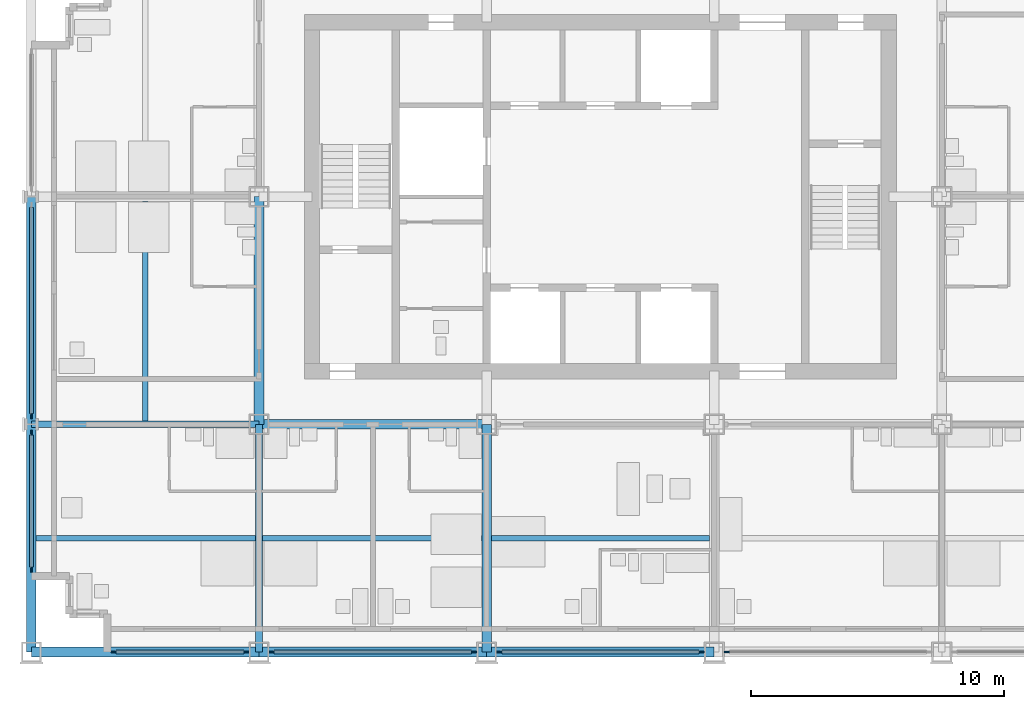
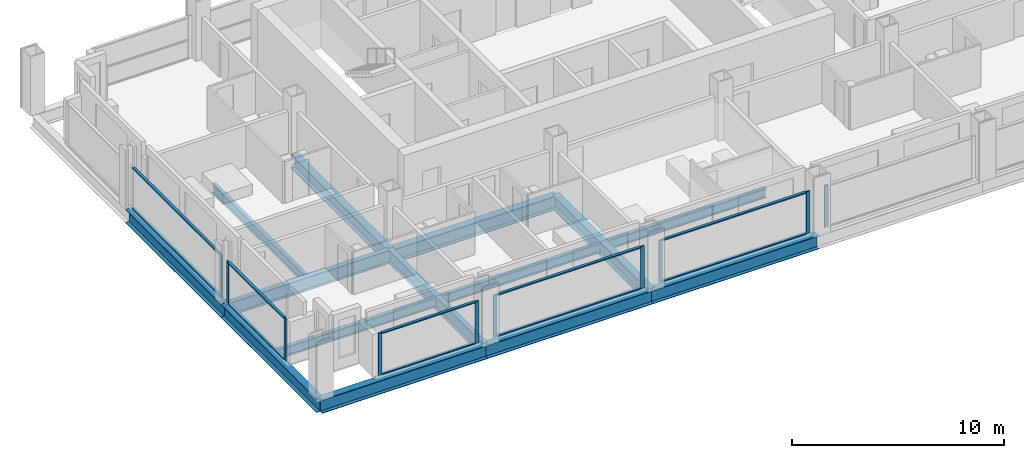
# One storey, part 2 of 13: 20 members, 14 beams, 6 elements without a shape of their own.
"""IFC4 building model written with IfcOpenShell, lengths in metres."""

from ifc_helpers import new_model, si_unit, direction, frame, origin, origin_2d, place, context, subcontext, project, spatial, rectangle, i_section, extrude, material, material_profile, profile_set, type_object, element, aggregate, save


model = new_model("IFC4")

# Units and contexts
model_context = context("Model", 3, precision=1e-05, world=origin(), true_north=direction((0.0, 1.0)))
body_context = subcontext(model_context, "Body", "Model", "MODEL_VIEW")
ifc_project = project(units=[si_unit("LENGTHUNIT", "METRE"), si_unit("AREAUNIT", "SQUARE_METRE"), si_unit("VOLUMEUNIT", "CUBIC_METRE"), si_unit("PLANEANGLEUNIT", "RADIAN"), si_unit("MASSUNIT", "GRAM", prefix="KILO")], contexts=[model_context])

# Site, building, storey
site_placement = place(None, origin())
site = spatial("IfcSite", under=ifc_project, at=site_placement, CompositionType="ELEMENT")
building_placement = place(site_placement, origin())
building = spatial("IfcBuilding", under=site, at=building_placement, Name="Loomwork Tower", CompositionType="ELEMENT")
storey_placement = place(building_placement, frame((0.0, 0.0, 187.60009765625)))
storey = spatial("IfcBuildingStorey", under=building, at=storey_placement, Name="L51", CompositionType="ELEMENT", Elevation=187.60009765625)

# Beams
ifc_material_1 = material(Name="Steel ASTM A992", Category="steel")
ifc_material_profile_1 = material_profile(ifc_material_1, i_section(OverallWidth=0.383544921875, OverallDepth=0.794921875, WebThickness=0.02099609375, FlangeThickness=0.0380859375, at=origin_2d()), Name="W30x235")
ifc_profile_set_1 = profile_set([ifc_material_profile_1], Name="Steel ASTM A992")
beam_type_1 = type_object("IfcBeamType", Name="CORE FLANK GIRDER W30x235", PredefinedType="BEAM", material=ifc_profile_set_1)
for number, where, z_axis, x_axis, name in (
    (1, (9.0, 9.0, -0.59765625), (1.0, 0.0, 0.0), (0.0, 1.0, 0.0), "Core Flank Girder E/3-E/4 L51"),
    (2, (9.0, 9.0, -0.59765625), (0.0, 1.0, 0.0), (-1.0, 0.0, 0.0), "Core Flank Girder E/3-F/3 L51"),
    (3, (18.0, 0.0, -0.59765625), (0.0, 1.0, 0.0), (-1.0, 0.0, 0.0), "Core Flank Girder D/4-E/4 L51"),
):
    element("IfcBeam", number, at=place(storey_placement, frame(where, z_axis=z_axis, x_axis=x_axis)), inside=storey, type_object=beam_type_1, Name=name, PredefinedType="BEAM", context=body_context, shape_type="SweptSolid", body=[
        extrude(i_section(OverallWidth=0.383544921875, OverallDepth=0.794921875, WebThickness=0.02099609375, FlangeThickness=0.0380859375, at=origin_2d()), origin(), (0.0, 0.0, 1.0), 9.0),
    ])
ifc_material_2 = material(Name="Steel ASTM A992", Category="steel")
ifc_material_profile_2 = material_profile(ifc_material_2, i_section(OverallWidth=0.2666015625, OverallDepth=0.761962890625, WebThickness=0.014404296875, FlangeThickness=0.021484375, at=origin_2d()), Name="W30x116")
ifc_profile_set_2 = profile_set([ifc_material_profile_2], Name="Steel ASTM A992")
beam_type_2 = type_object("IfcBeamType", Name="FLOOR GIRDER W30x116", PredefinedType="BEAM", material=ifc_profile_set_2)
for number, where, z_axis, x_axis, name in (
    (4, (0.0, 9.0, -0.5810546875), (1.0, 0.0, 0.0), (0.0, 1.0, 0.0), "Floor Girder E/2-E/3 L51"),
    (5, (9.0, 0.0, -0.5810546875), (0.0, 1.0, 0.0), (-1.0, 0.0, 0.0), "Floor Girder D/3-E/3 L51"),
):
    element("IfcBeam", number, at=place(storey_placement, frame(where, z_axis=z_axis, x_axis=x_axis)), inside=storey, type_object=beam_type_2, Name=name, PredefinedType="BEAM", context=body_context, shape_type="SweptSolid", body=[
        extrude(i_section(OverallWidth=0.2666015625, OverallDepth=0.761962890625, WebThickness=0.014404296875, FlangeThickness=0.021484375, at=origin_2d()), origin(), (0.0, 0.0, 1.0), 9.0),
    ])
ifc_material_3 = material(Name="Steel ASTM A992", Category="steel")
ifc_material_profile_3 = material_profile(ifc_material_3, i_section(OverallWidth=0.2109375, OverallDepth=0.53857421875, WebThickness=0.011474609375, FlangeThickness=0.018798828125, at=origin_2d()), Name="W21x73")
ifc_profile_set_3 = profile_set([ifc_material_profile_3], Name="Steel ASTM A992")
beam_type_3 = type_object("IfcBeamType", Name="FLOOR JOIST W21x73", PredefinedType="JOIST", material=ifc_profile_set_3)
beam_1_placement = place(storey_placement, frame((0.18994140625, 4.5, -0.46923828125), z_axis=(1.0, 0.0, 0.0), x_axis=(0.0, 1.0, 0.0)))
element("IfcBeam", 6, at=beam_1_placement, inside=storey, type_object=beam_type_3, Name="Floor Joist 0.000,4.500-9.000,4.500 L51", PredefinedType="JOIST", context=body_context, shape_type="SweptSolid", body=[
    extrude(i_section(OverallWidth=0.2109375, OverallDepth=0.53857421875, WebThickness=0.011474609375, FlangeThickness=0.018798828125, at=origin_2d()), origin(), (0.0, 0.0, 1.0), 8.677001953125),
])
for number, where, z_axis, x_axis, name in (
    (7, (4.5, 9.133056640625, -0.46923828125), (0.0, 1.0, 0.0), (-1.0, 0.0, 0.0), "Floor Joist 4.500,9.000-4.500,18.000 L51"),
    (8, (9.133056640625, 4.5, -0.46923828125), (1.0, 0.0, 0.0), (0.0, 1.0, 0.0), "Floor Joist 9.000,4.500-18.000,4.500 L51"),
):
    element("IfcBeam", number, at=place(storey_placement, frame(where, z_axis=z_axis, x_axis=x_axis)), inside=storey, type_object=beam_type_3, Name=name, PredefinedType="JOIST", context=body_context, shape_type="SweptSolid", body=[
        extrude(i_section(OverallWidth=0.2109375, OverallDepth=0.53857421875, WebThickness=0.011474609375, FlangeThickness=0.018798828125, at=origin_2d()), origin(), (0.0, 0.0, 1.0), 8.676025390625),
    ])
beam_2_placement = place(storey_placement, frame((18.19091796875, 4.5, -0.46923828125), z_axis=(1.0, 0.0, 0.0), x_axis=(0.0, 1.0, 0.0)))
element("IfcBeam", 9, at=beam_2_placement, inside=storey, type_object=beam_type_3, Name="Floor Joist 18.000,4.500-27.000,4.500 L51", PredefinedType="JOIST", context=body_context, shape_type="SweptSolid", body=[
    extrude(i_section(OverallWidth=0.2109375, OverallDepth=0.53857421875, WebThickness=0.011474609375, FlangeThickness=0.018798828125, at=origin_2d()), origin(), (0.0, 0.0, 1.0), 8.6181640625),
])

# Curtain wall, members
ifc_material_4 = material(Name="Aluminium curtain wall frame", Category="aluminium")
curtain_wall_type = type_object("IfcCurtainWallType", Name="Outer skin glazing hotel", PredefinedType="NOTDEFINED", material=ifc_material_4)
curtain_wall_1_placement = place(storey_placement, origin())
curtain_wall_1 = element("IfcCurtainWall", 10, at=curtain_wall_1_placement, inside=storey, type_object=curtain_wall_type, Name="Outer skin glazing hotel cw/S-0", PredefinedType="NOTDEFINED")
ifc_material_5 = material(Name="Aluminium curtain wall frame", Category="aluminium")
ifc_material_profile_4 = material_profile(ifc_material_5, rectangle(XDim=0.06494140625, YDim=0.199951171875, at=origin_2d()), Name="AL 65x200")
ifc_profile_set_4 = profile_set([ifc_material_profile_4], Name="Aluminium curtain wall frame")
member_type_1 = type_object("IfcMemberType", Name="Outer skin glazing hotel mullion", PredefinedType="MULLION", material=ifc_profile_set_4)
member_1_placement = place(storey_placement, frame((3.25, 0.0, 0.0), z_axis=(0.0, 0.0, 1.0), x_axis=(0.0, 1.0, 0.0)))
member_1 = element("IfcMember", 11, at=member_1_placement, type_object=member_type_1, Name="CW1 mullion 1", PredefinedType="MULLION", context=body_context, shape_type="SweptSolid", body=[
    extrude(rectangle(XDim=0.06494140625, YDim=0.199951171875, at=origin_2d()), origin(), (0.0, 0.0, 1.0), 2.420166015625),
])
member_2_placement = place(storey_placement, frame((8.5, 0.0, 0.0), z_axis=(0.0, 0.0, 1.0), x_axis=(0.0, 1.0, 0.0)))
member_2 = element("IfcMember", 12, at=member_2_placement, type_object=member_type_1, Name="CW1 mullion 2", PredefinedType="MULLION", context=body_context, shape_type="SweptSolid", body=[
    extrude(rectangle(XDim=0.06494140625, YDim=0.199951171875, at=origin_2d()), origin(), (0.0, 0.0, 1.0), 2.420166015625),
])

curtain_wall_2_placement = place(storey_placement, origin())
curtain_wall_2 = element("IfcCurtainWall", 13, at=curtain_wall_2_placement, inside=storey, type_object=curtain_wall_type, Name="Outer skin glazing hotel cw/S-9", PredefinedType="NOTDEFINED")
member_3_placement = place(storey_placement, frame((9.5, 0.0, 0.0), z_axis=(0.0, 0.0, 1.0), x_axis=(0.0, 1.0, 0.0)))
member_3 = element("IfcMember", 14, at=member_3_placement, type_object=member_type_1, Name="CW1 mullion 1", PredefinedType="MULLION", context=body_context, shape_type="SweptSolid", body=[
    extrude(rectangle(XDim=0.06494140625, YDim=0.199951171875, at=origin_2d()), origin(), (0.0, 0.0, 1.0), 2.420166015625),
])
member_4_placement = place(storey_placement, frame((17.5, 0.0, 0.0), z_axis=(0.0, 0.0, 1.0), x_axis=(0.0, 1.0, 0.0)))
member_4 = element("IfcMember", 15, at=member_4_placement, type_object=member_type_1, Name="CW1 mullion 2", PredefinedType="MULLION", context=body_context, shape_type="SweptSolid", body=[
    extrude(rectangle(XDim=0.06494140625, YDim=0.199951171875, at=origin_2d()), origin(), (0.0, 0.0, 1.0), 2.420166015625),
])

curtain_wall_3_placement = place(storey_placement, origin())
curtain_wall_3 = element("IfcCurtainWall", 16, at=curtain_wall_3_placement, inside=storey, type_object=curtain_wall_type, Name="Outer skin glazing hotel cw/S-18", PredefinedType="NOTDEFINED")
member_5_placement = place(storey_placement, frame((18.5, 0.0, 0.0), z_axis=(0.0, 0.0, 1.0), x_axis=(0.0, 1.0, 0.0)))
member_5 = element("IfcMember", 17, at=member_5_placement, type_object=member_type_1, Name="CW1 mullion 1", PredefinedType="MULLION", context=body_context, shape_type="SweptSolid", body=[
    extrude(rectangle(XDim=0.06494140625, YDim=0.199951171875, at=origin_2d()), origin(), (0.0, 0.0, 1.0), 2.420166015625),
])
member_6_placement = place(storey_placement, frame((26.5, 0.0, 0.0), z_axis=(0.0, 0.0, 1.0), x_axis=(0.0, 1.0, 0.0)))
member_6 = element("IfcMember", 18, at=member_6_placement, type_object=member_type_1, Name="CW1 mullion 2", PredefinedType="MULLION", context=body_context, shape_type="SweptSolid", body=[
    extrude(rectangle(XDim=0.06494140625, YDim=0.199951171875, at=origin_2d()), origin(), (0.0, 0.0, 1.0), 2.420166015625),
])

# Curtain wall, member
curtain_wall_4_placement = place(storey_placement, origin())
curtain_wall_4 = element("IfcCurtainWall", 19, at=curtain_wall_4_placement, inside=storey, type_object=curtain_wall_type, Name="Outer skin glazing hotel cw/S-27", PredefinedType="NOTDEFINED")
member_7_placement = place(storey_placement, frame((27.5, 0.0, 0.0), z_axis=(0.0, 0.0, 1.0), x_axis=(0.0, 1.0, 0.0)))
member_7 = element("IfcMember", 20, at=member_7_placement, type_object=member_type_1, Name="CW1 mullion 1", PredefinedType="MULLION", context=body_context, shape_type="SweptSolid", body=[
    extrude(rectangle(XDim=0.06494140625, YDim=0.199951171875, at=origin_2d()), origin(), (0.0, 0.0, 1.0), 2.420166015625),
])
aggregate(curtain_wall_4, [member_7])

# Curtain wall, members
curtain_wall_5_placement = place(storey_placement, origin())
curtain_wall_5 = element("IfcCurtainWall", 21, at=curtain_wall_5_placement, inside=storey, type_object=curtain_wall_type, Name="Outer skin glazing hotel cw/W-0", PredefinedType="NOTDEFINED")
member_8_placement = place(storey_placement, frame((0.0, 8.67529296875, 0.0), z_axis=(0.0, 0.0, 1.0), x_axis=(1.0, 0.0, 0.0)))
member_8 = element("IfcMember", 22, at=member_8_placement, type_object=member_type_1, Name="CW1 mullion 1", PredefinedType="MULLION", context=body_context, shape_type="SweptSolid", body=[
    extrude(rectangle(XDim=0.06494140625, YDim=0.199951171875, at=origin_2d()), origin(), (0.0, 0.0, 1.0), 2.420166015625),
])
member_9_placement = place(storey_placement, frame((0.0, 3.25, 0.0), z_axis=(0.0, 0.0, 1.0), x_axis=(1.0, 0.0, 0.0)))
member_9 = element("IfcMember", 23, at=member_9_placement, type_object=member_type_1, Name="CW1 mullion 2", PredefinedType="MULLION", context=body_context, shape_type="SweptSolid", body=[
    extrude(rectangle(XDim=0.06494140625, YDim=0.199951171875, at=origin_2d()), origin(), (0.0, 0.0, 1.0), 2.420166015625),
])

# Curtain wall, member
curtain_wall_6_placement = place(storey_placement, origin())
curtain_wall_6 = element("IfcCurtainWall", 24, at=curtain_wall_6_placement, inside=storey, type_object=curtain_wall_type, Name="Outer skin glazing hotel cw/W-9", PredefinedType="NOTDEFINED")
member_10_placement = place(storey_placement, frame((0.0, 9.32470703125, 0.0), z_axis=(0.0, 0.0, 1.0), x_axis=(1.0, 0.0, 0.0)))
member_10 = element("IfcMember", 25, at=member_10_placement, type_object=member_type_1, Name="CW1 mullion 2", PredefinedType="MULLION", context=body_context, shape_type="SweptSolid", body=[
    extrude(rectangle(XDim=0.06494140625, YDim=0.199951171875, at=origin_2d()), origin(), (0.0, 0.0, 1.0), 2.420166015625),
])

# Member
ifc_material_6 = material(Name="Aluminium curtain wall frame", Category="aluminium")
ifc_material_profile_5 = material_profile(ifc_material_6, rectangle(XDim=0.14990234375, YDim=0.06494140625, at=origin_2d()), Name="AL 65x150")
ifc_profile_set_5 = profile_set([ifc_material_profile_5], Name="Aluminium curtain wall frame")
member_type_2 = type_object("IfcMemberType", Name="Outer skin glazing hotel transom", PredefinedType="USERDEFINED", material=ifc_profile_set_5)
member_11_placement = place(storey_placement, frame((3.35009765625, 0.0, 0.032470703125), z_axis=(1.0, 0.0, 0.0), x_axis=(0.0, 1.0, 0.0)))
member_11 = element("IfcMember", 26, at=member_11_placement, type_object=member_type_2, Name="CW1 transom 1.1", ObjectType="TRANSOM", PredefinedType="USERDEFINED", context=body_context, shape_type="SweptSolid", body=[
    extrude(rectangle(XDim=0.14990234375, YDim=0.06494140625, at=origin_2d()), origin(), (0.0, 0.0, 1.0), 5.0498046875),
])

member_12_placement = place(storey_placement, frame((3.35009765625, 0.0, 2.3876953125), z_axis=(1.0, 0.0, 0.0), x_axis=(0.0, 1.0, 0.0)))
member_12 = element("IfcMember", 27, at=member_12_placement, type_object=member_type_2, Name="CW1 transom 1.2", ObjectType="TRANSOM", PredefinedType="USERDEFINED", context=body_context, shape_type="SweptSolid", body=[
    extrude(rectangle(XDim=0.14990234375, YDim=0.06494140625, at=origin_2d()), origin(), (0.0, 0.0, 1.0), 5.0498046875),
])

aggregate(curtain_wall_1, [member_1, member_2, member_11, member_12])

member_13_placement = place(storey_placement, frame((9.60009765625, 0.0, 0.032470703125), z_axis=(1.0, 0.0, 0.0), x_axis=(0.0, 1.0, 0.0)))
member_13 = element("IfcMember", 28, at=member_13_placement, type_object=member_type_2, Name="CW1 transom 1.1", ObjectType="TRANSOM", PredefinedType="USERDEFINED", context=body_context, shape_type="SweptSolid", body=[
    extrude(rectangle(XDim=0.14990234375, YDim=0.06494140625, at=origin_2d()), origin(), (0.0, 0.0, 1.0), 7.7998046875),
])

member_14_placement = place(storey_placement, frame((9.60009765625, 0.0, 2.3876953125), z_axis=(1.0, 0.0, 0.0), x_axis=(0.0, 1.0, 0.0)))
member_14 = element("IfcMember", 29, at=member_14_placement, type_object=member_type_2, Name="CW1 transom 1.2", ObjectType="TRANSOM", PredefinedType="USERDEFINED", context=body_context, shape_type="SweptSolid", body=[
    extrude(rectangle(XDim=0.14990234375, YDim=0.06494140625, at=origin_2d()), origin(), (0.0, 0.0, 1.0), 7.7998046875),
])

aggregate(curtain_wall_2, [member_3, member_4, member_13, member_14])

member_15_placement = place(storey_placement, frame((18.60009765625, 0.0, 0.032470703125), z_axis=(1.0, 0.0, 0.0), x_axis=(0.0, 1.0, 0.0)))
member_15 = element("IfcMember", 30, at=member_15_placement, type_object=member_type_2, Name="CW1 transom 1.1", ObjectType="TRANSOM", PredefinedType="USERDEFINED", context=body_context, shape_type="SweptSolid", body=[
    extrude(rectangle(XDim=0.14990234375, YDim=0.06494140625, at=origin_2d()), origin(), (0.0, 0.0, 1.0), 7.7998046875),
])

member_16_placement = place(storey_placement, frame((18.60009765625, 0.0, 2.3876953125), z_axis=(1.0, 0.0, 0.0), x_axis=(0.0, 1.0, 0.0)))
member_16 = element("IfcMember", 31, at=member_16_placement, type_object=member_type_2, Name="CW1 transom 1.2", ObjectType="TRANSOM", PredefinedType="USERDEFINED", context=body_context, shape_type="SweptSolid", body=[
    extrude(rectangle(XDim=0.14990234375, YDim=0.06494140625, at=origin_2d()), origin(), (0.0, 0.0, 1.0), 7.7998046875),
])

aggregate(curtain_wall_3, [member_5, member_6, member_15, member_16])

member_17_placement = place(storey_placement, frame((0.0, 8.5751953125, 0.032470703125), z_axis=(0.0, -1.0, 0.0), x_axis=(1.0, 0.0, 0.0)))
member_17 = element("IfcMember", 32, at=member_17_placement, type_object=member_type_2, Name="CW1 transom 1.1", ObjectType="TRANSOM", PredefinedType="USERDEFINED", context=body_context, shape_type="SweptSolid", body=[
    extrude(rectangle(XDim=0.14990234375, YDim=0.06494140625, at=origin_2d()), origin(), (0.0, 0.0, 1.0), 5.22509765625),
])

member_18_placement = place(storey_placement, frame((0.0, 8.5751953125, 2.3876953125), z_axis=(0.0, -1.0, 0.0), x_axis=(1.0, 0.0, 0.0)))
member_18 = element("IfcMember", 33, at=member_18_placement, type_object=member_type_2, Name="CW1 transom 1.2", ObjectType="TRANSOM", PredefinedType="USERDEFINED", context=body_context, shape_type="SweptSolid", body=[
    extrude(rectangle(XDim=0.14990234375, YDim=0.06494140625, at=origin_2d()), origin(), (0.0, 0.0, 1.0), 5.22509765625),
])

aggregate(curtain_wall_5, [member_8, member_9, member_17, member_18])

member_19_placement = place(storey_placement, frame((0.0, 17.5751953125, 0.032470703125), z_axis=(0.0, -1.0, 0.0), x_axis=(1.0, 0.0, 0.0)))
member_19 = element("IfcMember", 34, at=member_19_placement, type_object=member_type_2, Name="CW1 transom 1.1", ObjectType="TRANSOM", PredefinedType="USERDEFINED", context=body_context, shape_type="SweptSolid", body=[
    extrude(rectangle(XDim=0.14990234375, YDim=0.06494140625, at=origin_2d()), origin(), (0.0, 0.0, 1.0), 8.150390625),
])

member_20_placement = place(storey_placement, frame((0.0, 17.5751953125, 2.3876953125), z_axis=(0.0, -1.0, 0.0), x_axis=(1.0, 0.0, 0.0)))
member_20 = element("IfcMember", 35, at=member_20_placement, type_object=member_type_2, Name="CW1 transom 1.2", ObjectType="TRANSOM", PredefinedType="USERDEFINED", context=body_context, shape_type="SweptSolid", body=[
    extrude(rectangle(XDim=0.14990234375, YDim=0.06494140625, at=origin_2d()), origin(), (0.0, 0.0, 1.0), 8.150390625),
])

aggregate(curtain_wall_6, [member_10, member_19, member_20])

# Beams
ifc_material_7 = material(Name="Steel ASTM A992", Category="steel")
ifc_material_profile_6 = material_profile(ifc_material_7, i_section(OverallWidth=0.381103515625, OverallDepth=0.77978515625, WebThickness=0.01806640625, FlangeThickness=0.0302734375, at=origin_2d()), Name="W30x191")
ifc_profile_set_6 = profile_set([ifc_material_profile_6], Name="Steel ASTM A992")
beam_type_4 = type_object("IfcBeamType", Name="SPANDREL GIRDER W30x191", PredefinedType="SPANDREL", material=ifc_profile_set_6)
for number, where, z_axis, x_axis, name in (
    (36, (0.0, 0.0, -0.590087890625), (1.0, 0.0, 0.0), (0.0, 1.0, 0.0), "Spandrel Girder D/2-D/3 L51"),
    (37, (9.0, 0.0, -0.590087890625), (1.0, 0.0, 0.0), (0.0, 1.0, 0.0), "Spandrel Girder D/3-D/4 L51"),
    (38, (18.0, 0.0, -0.590087890625), (1.0, 0.0, 0.0), (0.0, 1.0, 0.0), "Spandrel Girder D/4-D/5 L51"),
    (39, (0.0, 0.0, -0.590087890625), (0.0, 1.0, 0.0), (-1.0, 0.0, 0.0), "Spandrel Girder D/2-E/2 L51"),
    (40, (0.0, 9.0, -0.590087890625), (0.0, 1.0, 0.0), (-1.0, 0.0, 0.0), "Spandrel Girder E/2-F/2 L51"),
):
    element("IfcBeam", number, at=place(storey_placement, frame(where, z_axis=z_axis, x_axis=x_axis)), inside=storey, type_object=beam_type_4, Name=name, PredefinedType="SPANDREL", context=body_context, shape_type="SweptSolid", body=[
        extrude(i_section(OverallWidth=0.381103515625, OverallDepth=0.77978515625, WebThickness=0.01806640625, FlangeThickness=0.0302734375, at=origin_2d()), origin(), (0.0, 0.0, 1.0), 9.0),
    ])

save(model, "model.ifc")
